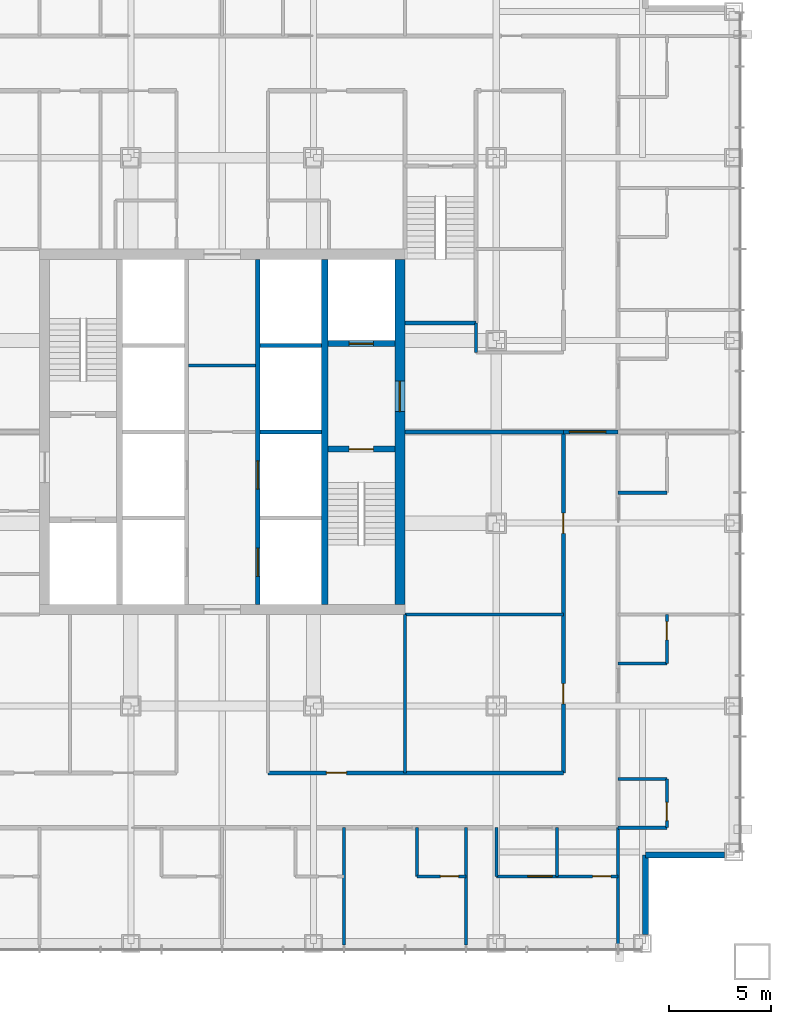
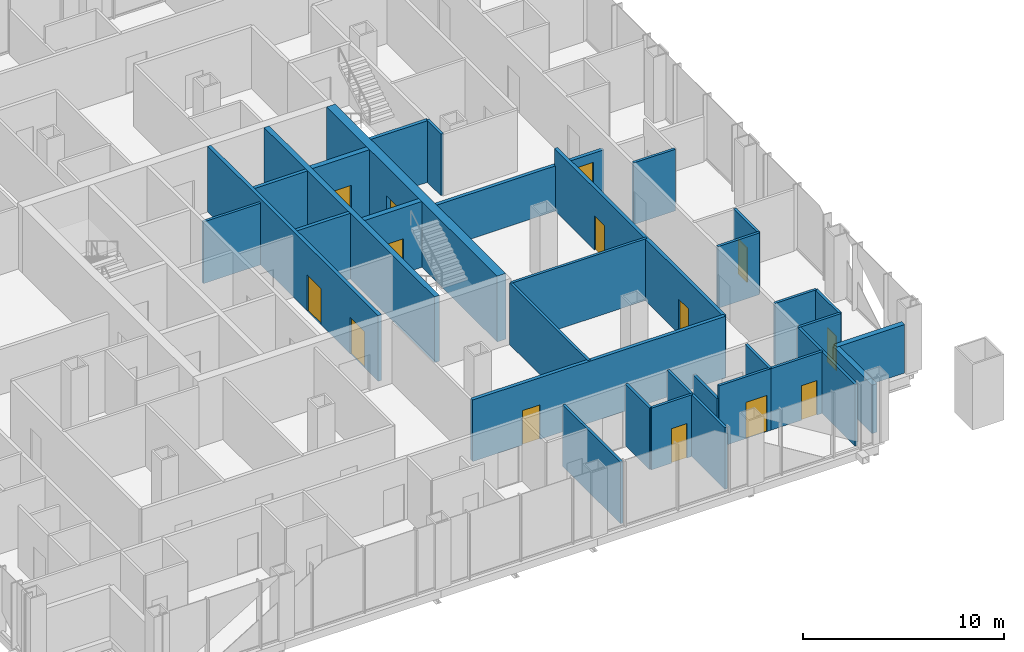
# One storey, part 9 of 13: 33 walls, 14 doors, 14 openings.
"""IFC4 building model written with IfcOpenShell, lengths in metres."""

from ifc_helpers import new_model, si_unit, direction, frame, frame_2d, origin, place, context, subcontext, project, spatial, rectangle, extrude, material, layer, layer_set, type_object, element, fill, save


model = new_model("IFC4")

# Units and contexts
model_context = context("Model", 3, precision=1e-05, world=origin(), true_north=direction((0.0, 1.0)))
body_context = subcontext(model_context, "Body", "Model", "MODEL_VIEW")
ifc_project = project(units=[si_unit("LENGTHUNIT", "METRE"), si_unit("AREAUNIT", "SQUARE_METRE"), si_unit("VOLUMEUNIT", "CUBIC_METRE"), si_unit("PLANEANGLEUNIT", "RADIAN"), si_unit("MASSUNIT", "GRAM", prefix="KILO")], contexts=[model_context])

# Site, building, storey
site_placement = place(None, origin())
site = spatial("IfcSite", under=ifc_project, at=site_placement, CompositionType="ELEMENT")
building_placement = place(site_placement, origin())
building = spatial("IfcBuilding", under=site, at=building_placement, Name="Malebo Sky Hospital", CompositionType="ELEMENT")
storey_placement = place(building_placement, frame((0.0, 0.0, 35.0)))
storey = spatial("IfcBuildingStorey", under=building, at=storey_placement, Name="L07", CompositionType="ELEMENT", Elevation=35.0)

# Wall, openings, doors
ifc_material_1 = material(Name="Concrete C80/95", Category="concrete")
ifc_layer_1 = layer(ifc_material_1, 0.199951171875)
ifc_layer_set_1 = layer_set([ifc_layer_1], Name="CORE INNER WALL 200")
wall_type_1 = type_object("IfcWallType", Name="CORE INNER WALL 200", PredefinedType="SHEAR", material=ifc_layer_set_1)
wall_1_placement = place(storey_placement, frame((61.75, 53.5, 0.0), z_axis=(0.0, 0.0, 1.0), x_axis=(0.0, 1.0, 0.0)))
wall_1 = element("IfcWall", 1, at=wall_1_placement, inside=storey, type_object=wall_type_1, Name="Core wall LE L07", PredefinedType="SHEAR", context=body_context, shape_type="SweptSolid", body=[
    extrude(rectangle(XDim=17.0, YDim=0.199951171875, at=frame_2d((8.5, 0.0))), origin(), (0.0, 0.0, 1.0), 4.0),
])
opening_1_placement = place(wall_1_placement, frame((1.375, 0.0, 0.0)))
opening_1 = element("IfcOpeningElement", 2, at=opening_1_placement, cuts=wall_1, Name="Opening LD1", PredefinedType="OPENING", context=body_context, shape_type="SweptSolid", body=[
    extrude(rectangle(XDim=1.39990234375, YDim=2.199951171875, at=frame_2d((0.699951171875, 1.10009765625))), frame((0.0, 0.10986328125, 0.0), z_axis=(0.0, -1.0, 0.0), x_axis=(1.0, 0.0, 0.0)), (0.0, 0.0, 1.0), 0.219970703125),
])
opening_2_placement = place(wall_1_placement, frame((5.675048828125, 0.0, 0.0)))
opening_2 = element("IfcOpeningElement", 3, at=opening_2_placement, cuts=wall_1, Name="Opening LD1", PredefinedType="OPENING", context=body_context, shape_type="SweptSolid", body=[
    extrude(rectangle(XDim=1.39990234375, YDim=2.199951171875, at=frame_2d((0.699951171875, 1.10009765625))), frame((0.0, 0.10986328125, 0.0), z_axis=(0.0, -1.0, 0.0), x_axis=(1.0, 0.0, 0.0)), (0.0, 0.0, 1.0), 0.219970703125),
])
ifc_material_2 = material(Name="Stainless steel sliding landing door", Category="steel")
door_type_1 = type_object("IfcDoorType", Name="LIFT LANDING DOOR 1400", OperationType="SLIDING_TO_LEFT", PredefinedType="DOOR", material=ifc_material_2)
door_1_placement = place(opening_1_placement, origin())
door_1 = element("IfcDoor", 4, at=door_1_placement, inside=storey, type_object=door_type_1, Name="Lift E1 landing door", OperationType="SLIDING_TO_LEFT", OverallHeight=2.199951171875, OverallWidth=1.39990234375, PredefinedType="DOOR", context=body_context, shape_type="SweptSolid", body=[
    extrude(rectangle(XDim=1.39990234375, YDim=2.199951171875, at=frame_2d((0.699951171875, 1.10009765625))), frame((0.0, 0.02490234375, 0.0), z_axis=(0.0, -1.0, 0.0), x_axis=(1.0, 0.0, 0.0)), (0.0, 0.0, 1.0), 0.050048828125),
])
fill(opening_1, door_1)
door_2_placement = place(opening_2_placement, origin())
door_2 = element("IfcDoor", 5, at=door_2_placement, inside=storey, type_object=door_type_1, Name="Lift E2 landing door", OperationType="SLIDING_TO_LEFT", OverallHeight=2.199951171875, OverallWidth=1.39990234375, PredefinedType="DOOR", context=body_context, shape_type="SweptSolid", body=[
    extrude(rectangle(XDim=1.39990234375, YDim=2.199951171875, at=frame_2d((0.699951171875, 1.10009765625))), frame((0.0, 0.02490234375, 0.0), z_axis=(0.0, -1.0, 0.0), x_axis=(1.0, 0.0, 0.0)), (0.0, 0.0, 1.0), 0.050048828125),
])
fill(opening_2, door_2)

# Walls
for number, where, z_axis, x_axis, name in (
    (6, (61.85009765625, 62.0, 0.0), (0.0, 0.0, 1.0), (1.0, 0.0, 0.0), "Core wall SE1 L07"),
    (7, (61.85009765625, 66.25, 0.0), (0.0, 0.0, 1.0), (1.0, 0.0, 0.0), "Core wall SE2 L07"),
):
    element("IfcWall", number, at=place(storey_placement, frame(where, z_axis=z_axis, x_axis=x_axis)), inside=storey, type_object=wall_type_1, Name=name, PredefinedType="SHEAR", context=body_context, shape_type="SweptSolid", body=[
        extrude(rectangle(XDim=3.0498046875, YDim=0.199951171875, at=frame_2d((1.52490234375, 0.0))), origin(), (0.0, 0.0, 1.0), 4.0),
    ])
ifc_layer_2 = layer(ifc_material_1, 0.300048828125)
ifc_layer_set_2 = layer_set([ifc_layer_2], Name="CORE INNER WALL 300")
wall_type_2 = type_object("IfcWallType", Name="CORE INNER WALL 300", PredefinedType="SHEAR", material=ifc_layer_set_2)
wall_2_placement = place(storey_placement, frame((65.050048828125, 53.5, 0.0), z_axis=(0.0, 0.0, 1.0), x_axis=(0.0, 1.0, 0.0)))
element("IfcWall", 8, at=wall_2_placement, inside=storey, type_object=wall_type_2, Name="Core wall XE L07", PredefinedType="SHEAR", context=body_context, shape_type="SweptSolid", body=[
    extrude(rectangle(XDim=17.0, YDim=0.300048828125, at=frame_2d((8.5, 0.0))), origin(), (0.0, 0.0, 1.0), 4.0),
])

# Wall, opening, door
wall_3_placement = place(storey_placement, frame((65.199951171875, 61.14990234375, 0.0), z_axis=(0.0, 0.0, 1.0), x_axis=(1.0, 0.0, 0.0)))
wall_3 = element("IfcWall", 9, at=wall_3_placement, inside=storey, type_object=wall_type_2, Name="Core wall E1 L07", PredefinedType="SHEAR", context=body_context, shape_type="SweptSolid", body=[
    extrude(rectangle(XDim=3.300048828125, YDim=0.300048828125, at=frame_2d((1.64990234375, 0.0))), origin(), (0.0, 0.0, 1.0), 4.0),
])
opening_3_placement = place(wall_3_placement, frame((1.050048828125, 0.0, 0.0)))
opening_3 = element("IfcOpeningElement", 10, at=opening_3_placement, cuts=wall_3, Name="Opening D08", PredefinedType="OPENING", context=body_context, shape_type="SweptSolid", body=[
    extrude(rectangle(XDim=1.199951171875, YDim=2.10009765625, at=frame_2d((0.60009765625, 1.050048828125))), frame((0.0, 0.159912109375, 0.0), z_axis=(0.0, -1.0, 0.0), x_axis=(1.0, 0.0, 0.0)), (0.0, 0.0, 1.0), 0.320068359375),
])
ifc_material_3 = material(Name="Hardwood-faced door leaf in steel frame", Category="steel")
door_type_2 = type_object("IfcDoorType", Name="STAIR DOOR 1200", OperationType="SINGLE_SWING_LEFT", PredefinedType="DOOR", material=ifc_material_3)
door_3_placement = place(opening_3_placement, origin())
door_3 = element("IfcDoor", 11, at=door_3_placement, inside=storey, type_object=door_type_2, Name="Stair S2 door", OperationType="SINGLE_SWING_LEFT", OverallHeight=2.10009765625, OverallWidth=1.199951171875, PredefinedType="DOOR", context=body_context, shape_type="SweptSolid", body=[
    extrude(rectangle(XDim=1.199951171875, YDim=2.10009765625, at=frame_2d((0.60009765625, 1.050048828125))), frame((0.0, 0.02490234375, 0.0), z_axis=(0.0, -1.0, 0.0), x_axis=(1.0, 0.0, 0.0)), (0.0, 0.0, 1.0), 0.050048828125),
])
fill(opening_3, door_3)

wall_4_placement = place(storey_placement, frame((65.199951171875, 66.35009765625, 0.0), z_axis=(0.0, 0.0, 1.0), x_axis=(1.0, 0.0, 0.0)))
wall_4 = element("IfcWall", 12, at=wall_4_placement, inside=storey, type_object=wall_type_2, Name="Core wall E2 L07", PredefinedType="SHEAR", context=body_context, shape_type="SweptSolid", body=[
    extrude(rectangle(XDim=3.300048828125, YDim=0.300048828125, at=frame_2d((1.64990234375, 0.0))), origin(), (0.0, 0.0, 1.0), 4.0),
])
opening_4_placement = place(wall_4_placement, frame((1.050048828125, 0.0, 0.0)))
opening_4 = element("IfcOpeningElement", 13, at=opening_4_placement, cuts=wall_4, Name="Opening LD2", PredefinedType="OPENING", context=body_context, shape_type="SweptSolid", body=[
    extrude(rectangle(XDim=1.199951171875, YDim=2.199951171875, at=frame_2d((0.60009765625, 1.10009765625))), frame((0.0, 0.159912109375, 0.0), z_axis=(0.0, -1.0, 0.0), x_axis=(1.0, 0.0, 0.0)), (0.0, 0.0, 1.0), 0.320068359375),
])
door_type_3 = type_object("IfcDoorType", Name="FIRE-FIGHTING LIFT LANDING DOOR 1200", OperationType="SLIDING_TO_LEFT", PredefinedType="DOOR", material=ifc_material_2)
door_4_placement = place(opening_4_placement, origin())
door_4 = element("IfcDoor", 14, at=door_4_placement, inside=storey, type_object=door_type_3, Name="Lift FL2 landing door", OperationType="SLIDING_TO_LEFT", OverallHeight=2.199951171875, OverallWidth=1.199951171875, PredefinedType="DOOR", context=body_context, shape_type="SweptSolid", body=[
    extrude(rectangle(XDim=1.199951171875, YDim=2.199951171875, at=frame_2d((0.60009765625, 1.10009765625))), frame((0.0, 0.02490234375, 0.0), z_axis=(0.0, -1.0, 0.0), x_axis=(1.0, 0.0, 0.0)), (0.0, 0.0, 1.0), 0.050048828125),
])
fill(opening_4, door_4)

ifc_layer_3 = layer(ifc_material_1, 0.5)
ifc_layer_set_3 = layer_set([ifc_layer_3], Name="CORE WALL 500")
wall_type_3 = type_object("IfcWallType", Name="CORE WALL 500", PredefinedType="SHEAR", material=ifc_layer_set_3)
wall_5_placement = place(storey_placement, frame((68.75, 53.5, 0.0), z_axis=(0.0, 0.0, 1.0), x_axis=(0.0, 1.0, 0.0)))
wall_5 = element("IfcWall", 15, at=wall_5_placement, inside=storey, type_object=wall_type_3, Name="Core wall E L07", PredefinedType="SHEAR", context=body_context, shape_type="SweptSolid", body=[
    extrude(rectangle(XDim=17.0, YDim=0.5, at=frame_2d((8.5, 0.0))), origin(), (0.0, 0.0, 1.0), 4.0),
])
opening_5_placement = place(wall_5_placement, frame((9.5, 0.0, 0.0)))
opening_5 = element("IfcOpeningElement", 16, at=opening_5_placement, cuts=wall_5, Name="Opening D07", PredefinedType="OPENING", context=body_context, shape_type="SweptSolid", body=[
    extrude(rectangle(XDim=1.5, YDim=2.199951171875, at=frame_2d((0.75, 1.10009765625))), frame((0.0, 0.260009765625, 0.0), z_axis=(0.0, -1.0, 0.0), x_axis=(1.0, 0.0, 0.0)), (0.0, 0.0, 1.0), 0.52001953125),
])
door_type_4 = type_object("IfcDoorType", Name="FIRE-FIGHTING LOBBY DOOR PAIR 1500", OperationType="DOUBLE_DOOR_SINGLE_SWING", PredefinedType="DOOR", material=ifc_material_3)
door_5_placement = place(opening_5_placement, origin())
door_5 = element("IfcDoor", 17, at=door_5_placement, inside=storey, type_object=door_type_4, Name="Fire-fighting lobby door east", OperationType="DOUBLE_DOOR_SINGLE_SWING", OverallHeight=2.199951171875, OverallWidth=1.5, PredefinedType="DOOR", context=body_context, shape_type="SweptSolid", body=[
    extrude(rectangle(XDim=1.5, YDim=2.199951171875, at=frame_2d((0.75, 1.10009765625))), frame((0.0, 0.02490234375, 0.0), z_axis=(0.0, -1.0, 0.0), x_axis=(1.0, 0.0, 0.0)), (0.0, 0.0, 1.0), 0.050048828125),
])
fill(opening_5, door_5)

ifc_material_4 = material(Name="Gypsum board on steel studs", Category="steel")
ifc_layer_4 = layer(ifc_material_4, 0.199951171875)
ifc_layer_set_4 = layer_set([ifc_layer_4], Name="CORRIDOR WALL 200")
wall_type_4 = type_object("IfcWallType", Name="CORRIDOR WALL 200", PredefinedType="PARTITIONING", material=ifc_layer_set_4)
wall_6_placement = place(storey_placement, frame((76.800048828125, 45.199951171875, 0.0), z_axis=(0.0, 0.0, 1.0), x_axis=(-1.0, 0.0, 0.0)))
wall_6 = element("IfcWall", 18, at=wall_6_placement, inside=storey, type_object=wall_type_4, Name="Corridor Wall 200 SCI1", PredefinedType="PARTITIONING", context=body_context, shape_type="SweptSolid", body=[
    extrude(rectangle(XDim=14.550048828125, YDim=0.199951171875, at=frame_2d((7.27490234375, 0.0))), origin(), (0.0, 0.0, 1.0), 3.75),
])
opening_6_placement = place(wall_6_placement, frame((10.675048828125, 0.0, 0.0)))
opening_6 = element("IfcOpeningElement", 19, at=opening_6_placement, cuts=wall_6, Name="Opening D03", PredefinedType="OPENING", context=body_context, shape_type="SweptSolid", body=[
    extrude(rectangle(XDim=1.0, YDim=2.10009765625, at=frame_2d((0.5, 1.050048828125))), frame((0.0, 0.10986328125, 0.0), z_axis=(0.0, -1.0, 0.0), x_axis=(1.0, 0.0, 0.0)), (0.0, 0.0, 1.0), 0.219970703125),
])
door_type_5 = type_object("IfcDoorType", Name="ROOM DOOR 1000", OperationType="SINGLE_SWING_LEFT", PredefinedType="DOOR", material=ifc_material_3)
door_6_placement = place(opening_6_placement, origin())
door_6 = element("IfcDoor", 20, at=door_6_placement, inside=storey, type_object=door_type_5, Name="Interview room door", OperationType="SINGLE_SWING_LEFT", OverallHeight=2.10009765625, OverallWidth=1.0, PredefinedType="DOOR", context=body_context, shape_type="SweptSolid", body=[
    extrude(rectangle(XDim=1.0, YDim=2.10009765625, at=frame_2d((0.5, 1.050048828125))), frame((0.0, 0.02490234375, 0.0), z_axis=(0.0, -1.0, 0.0), x_axis=(1.0, 0.0, 0.0)), (0.0, 0.0, 1.0), 0.050048828125),
])
fill(opening_6, door_6)

# Wall, openings, doors
wall_7_placement = place(storey_placement, frame((76.800048828125, 62.0, 0.0), z_axis=(0.0, 0.0, 1.0), x_axis=(0.0, -1.0, 0.0)))
wall_7 = element("IfcWall", 21, at=wall_7_placement, inside=storey, type_object=wall_type_4, Name="Corridor Wall 200 ECI2", PredefinedType="PARTITIONING", context=body_context, shape_type="SweptSolid", body=[
    extrude(rectangle(XDim=16.800048828125, YDim=0.199951171875, at=frame_2d((8.39990234375, 0.0))), origin(), (0.0, 0.0, 1.0), 3.75),
])
opening_7_placement = place(wall_7_placement, frame((4.0, 0.0, 0.0)))
opening_7 = element("IfcOpeningElement", 22, at=opening_7_placement, cuts=wall_7, Name="Opening D03", PredefinedType="OPENING", context=body_context, shape_type="SweptSolid", body=[
    extrude(rectangle(XDim=1.0, YDim=2.10009765625, at=frame_2d((0.5, 1.050048828125))), frame((0.0, 0.10986328125, 0.0), z_axis=(0.0, -1.0, 0.0), x_axis=(1.0, 0.0, 0.0)), (0.0, 0.0, 1.0), 0.219970703125),
])
opening_8_placement = place(wall_7_placement, frame((12.39990234375, 0.0, 0.0)))
opening_8 = element("IfcOpeningElement", 23, at=opening_8_placement, cuts=wall_7, Name="Opening D03", PredefinedType="OPENING", context=body_context, shape_type="SweptSolid", body=[
    extrude(rectangle(XDim=1.0, YDim=2.10009765625, at=frame_2d((0.5, 1.050048828125))), frame((0.0, 0.10986328125, 0.0), z_axis=(0.0, -1.0, 0.0), x_axis=(1.0, 0.0, 0.0)), (0.0, 0.0, 1.0), 0.219970703125),
])
door_7_placement = place(opening_7_placement, origin())
door_7 = element("IfcDoor", 24, at=door_7_placement, inside=storey, type_object=door_type_5, Name="Staff rest room door", OperationType="SINGLE_SWING_LEFT", OverallHeight=2.10009765625, OverallWidth=1.0, PredefinedType="DOOR", context=body_context, shape_type="SweptSolid", body=[
    extrude(rectangle(XDim=1.0, YDim=2.10009765625, at=frame_2d((0.5, 1.050048828125))), frame((0.0, 0.02490234375, 0.0), z_axis=(0.0, -1.0, 0.0), x_axis=(1.0, 0.0, 0.0)), (0.0, 0.0, 1.0), 0.050048828125),
])
fill(opening_7, door_7)
door_8_placement = place(opening_8_placement, origin())
door_8 = element("IfcDoor", 25, at=door_8_placement, inside=storey, type_object=door_type_5, Name="Staff base door", OperationType="SINGLE_SWING_RIGHT", OverallHeight=2.10009765625, OverallWidth=1.0, PredefinedType="DOOR", context=body_context, shape_type="SweptSolid", body=[
    extrude(rectangle(XDim=1.0, YDim=2.10009765625, at=frame_2d((0.5, 1.050048828125))), frame((0.0, 0.02490234375, 0.0), z_axis=(0.0, -1.0, 0.0), x_axis=(1.0, 0.0, 0.0)), (0.0, 0.0, 1.0), 0.050048828125),
])
fill(opening_8, door_8)

# Walls
ifc_material_5 = material(Name="Anodised aluminium rainscreen on steel framing", Category="steel")
ifc_layer_5 = layer(ifc_material_5, 0.300048828125)
ifc_layer_set_5 = layer_set([ifc_layer_5], Name="NOTCH RAINSCREEN WALL 300")
wall_type_5 = type_object("IfcWallType", Name="NOTCH RAINSCREEN WALL 300", PredefinedType="ELEMENTEDWALL", material=ifc_layer_set_5)
for number, where, z_axis, x_axis, name in (
    (26, (84.75, 41.14990234375, 0.0), (0.0, 0.0, 1.0), (-1.0, 0.0, 0.0), "Notch rainscreen wall E1 L07"),
    (27, (80.85009765625, 41.14990234375, 0.0), (0.0, 0.0, 1.0), (0.0, -1.0, 0.0), "Notch rainscreen wall E2 L07"),
):
    element("IfcWall", number, at=place(storey_placement, frame(where, z_axis=z_axis, x_axis=x_axis)), inside=storey, type_object=wall_type_5, Name=name, PredefinedType="ELEMENTEDWALL", context=body_context, shape_type="SweptSolid", body=[
        extrude(rectangle(XDim=3.89990234375, YDim=0.300048828125, at=frame_2d((1.949951171875, 0.0))), origin(), (0.0, 0.0, 1.0), 2.949951171875),
    ])
ifc_layer_6 = layer(ifc_material_4, 0.14990234375)
ifc_layer_set_6 = layer_set([ifc_layer_6], Name="PARTITION 150")
wall_type_6 = type_object("IfcWallType", Name="PARTITION 150", PredefinedType="PARTITIONING", material=ifc_layer_set_6)
for number, where, z_axis, x_axis, name in (
    (28, (72.0, 42.5, 0.0), (0.0, 0.0, 1.0), (0.0, -1.0, 0.0), "Partition 150 SP-12.0"),
    (29, (66.0, 42.5, 0.0), (0.0, 0.0, 1.0), (0.0, -1.0, 0.0), "Partition 150 SP-6.0"),
    (30, (79.5, 42.5, 0.0), (0.0, 0.0, 1.0), (0.0, -1.0, 0.0), "Partition 150 SP0"),
):
    element("IfcWall", number, at=place(storey_placement, frame(where, z_axis=z_axis, x_axis=x_axis)), inside=storey, type_object=wall_type_6, Name=name, PredefinedType="PARTITIONING", context=body_context, shape_type="SweptSolid", body=[
        extrude(rectangle(XDim=5.77490234375, YDim=0.14990234375, at=frame_2d((2.887451171875, 0.0))), origin(), (0.0, 0.0, 1.0), 3.75),
    ])

# Wall, opening, door
wall_8_placement = place(storey_placement, frame((79.5, 40.10009765625, 0.0), z_axis=(0.0, 0.0, 1.0), x_axis=(-1.0, 0.0, 0.0)))
wall_8 = element("IfcWall", 31, at=wall_8_placement, inside=storey, type_object=wall_type_6, Name="Partition 150 SE0F", PredefinedType="PARTITIONING", context=body_context, shape_type="SweptSolid", body=[
    extrude(rectangle(XDim=3.0, YDim=0.14990234375, at=frame_2d((1.5, 0.0))), origin(), (0.0, 0.0, 1.0), 3.75),
])
opening_9_placement = place(wall_8_placement, frame((0.35009765625, 0.0, 0.0)))
opening_9 = element("IfcOpeningElement", 32, at=opening_9_placement, cuts=wall_8, Name="Opening D02", PredefinedType="OPENING", context=body_context, shape_type="SweptSolid", body=[
    extrude(rectangle(XDim=0.89990234375, YDim=2.10009765625, at=frame_2d((0.449951171875, 1.050048828125))), frame((0.0, 0.0849609375, 0.0), z_axis=(0.0, -1.0, 0.0), x_axis=(1.0, 0.0, 0.0)), (0.0, 0.0, 1.0), 0.169921875),
])
door_type_6 = type_object("IfcDoorType", Name="EN-SUITE DOOR 900", OperationType="SINGLE_SWING_LEFT", PredefinedType="DOOR", material=ifc_material_3)
door_9_placement = place(opening_9_placement, origin())
door_9 = element("IfcDoor", 33, at=door_9_placement, inside=storey, type_object=door_type_6, Name="En-suite door", OperationType="SINGLE_SWING_LEFT", OverallHeight=2.10009765625, OverallWidth=0.89990234375, PredefinedType="DOOR", context=body_context, shape_type="SweptSolid", body=[
    extrude(rectangle(XDim=0.89990234375, YDim=2.10009765625, at=frame_2d((0.449951171875, 1.050048828125))), frame((0.0, 0.02490234375, 0.0), z_axis=(0.0, -1.0, 0.0), x_axis=(1.0, 0.0, 0.0)), (0.0, 0.0, 1.0), 0.050048828125),
])
fill(opening_9, door_9)

# Wall
wall_9_placement = place(storey_placement, frame((76.5, 42.5, 0.0), z_axis=(0.0, 0.0, 1.0), x_axis=(0.0, -1.0, 0.0)))
element("IfcWall", 34, at=wall_9_placement, inside=storey, type_object=wall_type_6, Name="Partition 150 SE0S", PredefinedType="PARTITIONING", context=body_context, shape_type="SweptSolid", body=[
    extrude(rectangle(XDim=2.39990234375, YDim=0.14990234375, at=frame_2d((1.199951171875, 0.0))), origin(), (0.0, 0.0, 1.0), 3.75),
])

# Wall, opening, door
wall_10_placement = place(storey_placement, frame((72.0, 40.10009765625, 0.0), z_axis=(0.0, 0.0, 1.0), x_axis=(-1.0, 0.0, 0.0)))
wall_10 = element("IfcWall", 35, at=wall_10_placement, inside=storey, type_object=wall_type_6, Name="Partition 150 SE1F", PredefinedType="PARTITIONING", context=body_context, shape_type="SweptSolid", body=[
    extrude(rectangle(XDim=2.39990234375, YDim=0.14990234375, at=frame_2d((1.199951171875, 0.0))), origin(), (0.0, 0.0, 1.0), 3.75),
])
opening_10_placement = place(wall_10_placement, frame((0.35009765625, 0.0, 0.0)))
opening_10 = element("IfcOpeningElement", 36, at=opening_10_placement, cuts=wall_10, Name="Opening D02", PredefinedType="OPENING", context=body_context, shape_type="SweptSolid", body=[
    extrude(rectangle(XDim=0.89990234375, YDim=2.10009765625, at=frame_2d((0.449951171875, 1.050048828125))), frame((0.0, 0.0849609375, 0.0), z_axis=(0.0, -1.0, 0.0), x_axis=(1.0, 0.0, 0.0)), (0.0, 0.0, 1.0), 0.169921875),
])
door_10_placement = place(opening_10_placement, origin())
door_10 = element("IfcDoor", 37, at=door_10_placement, inside=storey, type_object=door_type_6, Name="En-suite door", OperationType="SINGLE_SWING_LEFT", OverallHeight=2.10009765625, OverallWidth=0.89990234375, PredefinedType="DOOR", context=body_context, shape_type="SweptSolid", body=[
    extrude(rectangle(XDim=0.89990234375, YDim=2.10009765625, at=frame_2d((0.449951171875, 1.050048828125))), frame((0.0, 0.02490234375, 0.0), z_axis=(0.0, -1.0, 0.0), x_axis=(1.0, 0.0, 0.0)), (0.0, 0.0, 1.0), 0.050048828125),
])
fill(opening_10, door_10)

# Walls
wall_11_placement = place(storey_placement, frame((69.60009765625, 42.5, 0.0), z_axis=(0.0, 0.0, 1.0), x_axis=(0.0, -1.0, 0.0)))
element("IfcWall", 38, at=wall_11_placement, inside=storey, type_object=wall_type_6, Name="Partition 150 SE1S", PredefinedType="PARTITIONING", context=body_context, shape_type="SweptSolid", body=[
    extrude(rectangle(XDim=2.39990234375, YDim=0.14990234375, at=frame_2d((1.199951171875, 0.0))), origin(), (0.0, 0.0, 1.0), 3.75),
])
wall_12_placement = place(storey_placement, frame((69.0, 53.0, 0.0), z_axis=(0.0, 0.0, 1.0), x_axis=(0.0, -1.0, 0.0)))
element("IfcWall", 39, at=wall_12_placement, inside=storey, type_object=wall_type_6, Name="Partition 150 SSP0", PredefinedType="PARTITIONING", context=body_context, shape_type="SweptSolid", body=[
    extrude(rectangle(XDim=7.800048828125, YDim=0.14990234375, at=frame_2d((3.89990234375, 0.0))), origin(), (0.0, 0.0, 1.0), 3.75),
])
wall_13_placement = place(storey_placement, frame((79.5, 59.0, 0.0), z_axis=(0.0, 0.0, 1.0), x_axis=(1.0, 0.0, 0.0)))
element("IfcWall", 40, at=wall_13_placement, inside=storey, type_object=wall_type_6, Name="Partition 150 EE3S", PredefinedType="PARTITIONING", context=body_context, shape_type="SweptSolid", body=[
    extrude(rectangle(XDim=2.39990234375, YDim=0.14990234375, at=frame_2d((1.199951171875, 0.0))), origin(), (0.0, 0.0, 1.0), 3.75),
])

# Wall, opening, door
wall_14_placement = place(storey_placement, frame((81.89990234375, 53.0, 0.0), z_axis=(0.0, 0.0, 1.0), x_axis=(0.0, -1.0, 0.0)))
wall_14 = element("IfcWall", 41, at=wall_14_placement, inside=storey, type_object=wall_type_6, Name="Partition 150 EE4F", PredefinedType="PARTITIONING", context=body_context, shape_type="SweptSolid", body=[
    extrude(rectangle(XDim=2.39990234375, YDim=0.14990234375, at=frame_2d((1.199951171875, 0.0))), origin(), (0.0, 0.0, 1.0), 3.75),
])
opening_11_placement = place(wall_14_placement, frame((0.35009765625, 0.0, 0.0)))
opening_11 = element("IfcOpeningElement", 42, at=opening_11_placement, cuts=wall_14, Name="Opening D02", PredefinedType="OPENING", context=body_context, shape_type="SweptSolid", body=[
    extrude(rectangle(XDim=0.89990234375, YDim=2.10009765625, at=frame_2d((0.449951171875, 1.050048828125))), frame((0.0, 0.0849609375, 0.0), z_axis=(0.0, -1.0, 0.0), x_axis=(1.0, 0.0, 0.0)), (0.0, 0.0, 1.0), 0.169921875),
])
door_11_placement = place(opening_11_placement, origin())
door_11 = element("IfcDoor", 43, at=door_11_placement, inside=storey, type_object=door_type_6, Name="En-suite door", OperationType="SINGLE_SWING_LEFT", OverallHeight=2.10009765625, OverallWidth=0.89990234375, PredefinedType="DOOR", context=body_context, shape_type="SweptSolid", body=[
    extrude(rectangle(XDim=0.89990234375, YDim=2.10009765625, at=frame_2d((0.449951171875, 1.050048828125))), frame((0.0, 0.02490234375, 0.0), z_axis=(0.0, -1.0, 0.0), x_axis=(1.0, 0.0, 0.0)), (0.0, 0.0, 1.0), 0.050048828125),
])
fill(opening_11, door_11)

# Wall
wall_15_placement = place(storey_placement, frame((79.5, 50.60009765625, 0.0), z_axis=(0.0, 0.0, 1.0), x_axis=(1.0, 0.0, 0.0)))
element("IfcWall", 44, at=wall_15_placement, inside=storey, type_object=wall_type_6, Name="Partition 150 EE4S", PredefinedType="PARTITIONING", context=body_context, shape_type="SweptSolid", body=[
    extrude(rectangle(XDim=2.39990234375, YDim=0.14990234375, at=frame_2d((1.199951171875, 0.0))), origin(), (0.0, 0.0, 1.0), 3.75),
])

# Wall, opening, door
wall_16_placement = place(storey_placement, frame((81.89990234375, 44.89990234375, 0.0), z_axis=(0.0, 0.0, 1.0), x_axis=(0.0, -1.0, 0.0)))
wall_16 = element("IfcWall", 45, at=wall_16_placement, inside=storey, type_object=wall_type_6, Name="Partition 150 EG4F", PredefinedType="PARTITIONING", context=body_context, shape_type="SweptSolid", body=[
    extrude(rectangle(XDim=2.39990234375, YDim=0.14990234375, at=frame_2d((1.199951171875, 0.0))), origin(), (0.0, 0.0, 1.0), 3.75),
])
opening_12_placement = place(wall_16_placement, frame((1.14990234375, 0.0, 0.0)))
opening_12 = element("IfcOpeningElement", 46, at=opening_12_placement, cuts=wall_16, Name="Opening D02", PredefinedType="OPENING", context=body_context, shape_type="SweptSolid", body=[
    extrude(rectangle(XDim=0.89990234375, YDim=2.10009765625, at=frame_2d((0.449951171875, 1.050048828125))), frame((0.0, 0.0849609375, 0.0), z_axis=(0.0, -1.0, 0.0), x_axis=(1.0, 0.0, 0.0)), (0.0, 0.0, 1.0), 0.169921875),
])
door_12_placement = place(opening_12_placement, origin())
door_12 = element("IfcDoor", 47, at=door_12_placement, inside=storey, type_object=door_type_6, Name="En-suite door", OperationType="SINGLE_SWING_RIGHT", OverallHeight=2.10009765625, OverallWidth=0.89990234375, PredefinedType="DOOR", context=body_context, shape_type="SweptSolid", body=[
    extrude(rectangle(XDim=0.89990234375, YDim=2.10009765625, at=frame_2d((0.449951171875, 1.050048828125))), frame((0.0, 0.02490234375, 0.0), z_axis=(0.0, -1.0, 0.0), x_axis=(1.0, 0.0, 0.0)), (0.0, 0.0, 1.0), 0.050048828125),
])
fill(opening_12, door_12)

# Walls
for number, where, z_axis, x_axis, name in (
    (48, (79.5, 44.89990234375, 0.0), (0.0, 0.0, 1.0), (1.0, 0.0, 0.0), "Partition 150 EG4S"),
    (49, (79.5, 42.5, 0.0), (0.0, 0.0, 1.0), (1.0, 0.0, 0.0), "Partition 150 EEZ"),
):
    element("IfcWall", number, at=place(storey_placement, frame(where, z_axis=z_axis, x_axis=x_axis)), inside=storey, type_object=wall_type_6, Name=name, PredefinedType="PARTITIONING", context=body_context, shape_type="SweptSolid", body=[
        extrude(rectangle(XDim=2.39990234375, YDim=0.14990234375, at=frame_2d((1.199951171875, 0.0))), origin(), (0.0, 0.0, 1.0), 3.75),
    ])
wall_17_placement = place(storey_placement, frame((69.0, 53.0, 0.0), z_axis=(0.0, 0.0, 1.0), x_axis=(1.0, 0.0, 0.0)))
element("IfcWall", 50, at=wall_17_placement, inside=storey, type_object=wall_type_6, Name="Partition 150 ESP+9.0", PredefinedType="PARTITIONING", context=body_context, shape_type="SweptSolid", body=[
    extrude(rectangle(XDim=7.800048828125, YDim=0.14990234375, at=frame_2d((3.89990234375, 0.0))), origin(), (0.0, 0.0, 1.0), 3.75),
])
wall_18_placement = place(storey_placement, frame((58.35009765625, 65.276611328125, 0.0), z_axis=(0.0, 0.0, 1.0), x_axis=(1.0, 0.0, 0.0)))
element("IfcWall", 51, at=wall_18_placement, inside=storey, type_object=wall_type_6, Name="Partition 150 LBN1", PredefinedType="PARTITIONING", context=body_context, shape_type="SweptSolid", body=[
    extrude(rectangle(XDim=3.2998046875, YDim=0.14990234375, at=frame_2d((1.64990234375, 0.0))), origin(), (0.0, 0.0, 1.0), 3.75),
])
wall_19_placement = place(storey_placement, frame((72.5, 65.89990234375, 0.0), z_axis=(0.0, 0.0, 1.0), x_axis=(0.0, 1.0, 0.0)))
element("IfcWall", 52, at=wall_19_placement, inside=storey, type_object=wall_type_6, Name="Partition 150 ST3C", PredefinedType="PARTITIONING", context=body_context, shape_type="SweptSolid", body=[
    extrude(rectangle(XDim=1.4501953125, YDim=0.14990234375, at=frame_2d((0.72509765625, 0.0))), origin(), (0.0, 0.0, 1.0), 3.75),
])

# Wall, opening, door
ifc_material_6 = material(Name="Sealed gypsum board on steel studs, taped to the slab", Category="steel")
ifc_layer_7 = layer(ifc_material_6, 0.14990234375)
ifc_layer_set_7 = layer_set([ifc_layer_7], Name="SEALED ISOLATION PARTITION 150")
wall_type_7 = type_object("IfcWallType", Name="SEALED ISOLATION PARTITION 150", PredefinedType="PARTITIONING", material=ifc_layer_set_7)
wall_20_placement = place(storey_placement, frame((76.5, 40.10009765625, 0.0), z_axis=(0.0, 0.0, 1.0), x_axis=(-1.0, 0.0, 0.0)))
wall_20 = element("IfcWall", 53, at=wall_20_placement, inside=storey, type_object=wall_type_7, Name="Sealed Isolation Partition 150 SA0F", PredefinedType="PARTITIONING", context=body_context, shape_type="SweptSolid", body=[
    extrude(rectangle(XDim=3.0, YDim=0.14990234375, at=frame_2d((1.5, 0.0))), origin(), (0.0, 0.0, 1.0), 3.75),
])
opening_13_placement = place(wall_20_placement, frame((0.25, 0.0, 0.0)))
opening_13 = element("IfcOpeningElement", 54, at=opening_13_placement, cuts=wall_20, Name="Opening D19", PredefinedType="OPENING", context=body_context, shape_type="SweptSolid", body=[
    extrude(rectangle(XDim=1.199951171875, YDim=2.199951171875, at=frame_2d((0.60009765625, 1.10009765625))), frame((0.0, 0.0849609375, 0.0), z_axis=(0.0, -1.0, 0.0), x_axis=(1.0, 0.0, 0.0)), (0.0, 0.0, 1.0), 0.169921875),
])
ifc_material_7 = material(Name="Hardwood-faced door leaf with perimeter seals in steel frame", Category="steel")
door_type_7 = type_object("IfcDoorType", Name="SEALED ISOLATION ROOM DOOR 1200", OperationType="SINGLE_SWING_LEFT", PredefinedType="DOOR", material=ifc_material_7)
door_13_placement = place(opening_13_placement, origin())
door_13 = element("IfcDoor", 55, at=door_13_placement, inside=storey, type_object=door_type_7, Name="Isolation room door", OperationType="SINGLE_SWING_LEFT", OverallHeight=2.199951171875, OverallWidth=1.199951171875, PredefinedType="DOOR", context=body_context, shape_type="SweptSolid", body=[
    extrude(rectangle(XDim=1.199951171875, YDim=2.199951171875, at=frame_2d((0.60009765625, 1.10009765625))), frame((0.0, 0.02490234375, 0.0), z_axis=(0.0, -1.0, 0.0), x_axis=(1.0, 0.0, 0.0)), (0.0, 0.0, 1.0), 0.050048828125),
])
fill(opening_13, door_13)

# Walls
wall_21_placement = place(storey_placement, frame((73.5, 42.5, 0.0), z_axis=(0.0, 0.0, 1.0), x_axis=(0.0, -1.0, 0.0)))
element("IfcWall", 56, at=wall_21_placement, inside=storey, type_object=wall_type_7, Name="Sealed Isolation Partition 150 SA0S", PredefinedType="PARTITIONING", context=body_context, shape_type="SweptSolid", body=[
    extrude(rectangle(XDim=2.39990234375, YDim=0.14990234375, at=frame_2d((1.199951171875, 0.0))), origin(), (0.0, 0.0, 1.0), 2.949951171875),
])
ifc_material_8 = material(Name="Concrete blockwork", Category="masonry")
ifc_layer_8 = layer(ifc_material_8, 0.199951171875)
ifc_layer_set_8 = layer_set([ifc_layer_8], Name="SMOKE BARRIER WALL 200")
wall_type_8 = type_object("IfcWallType", Name="SMOKE BARRIER WALL 200", PredefinedType="SOLIDWALL", material=ifc_layer_set_8)
wall_22_placement = place(storey_placement, frame((69.0, 62.0, 0.0), z_axis=(0.0, 0.0, 1.0), x_axis=(1.0, 0.0, 0.0)))
element("IfcWall", 57, at=wall_22_placement, inside=storey, type_object=wall_type_8, Name="Smoke Barrier Wall 200 ESPB", PredefinedType="SOLIDWALL", context=body_context, shape_type="SweptSolid", body=[
    extrude(rectangle(XDim=7.800048828125, YDim=0.199951171875, at=frame_2d((3.89990234375, 0.0))), origin(), (0.0, 0.0, 1.0), 2.75),
])

# Wall, opening, door
wall_23_placement = place(storey_placement, frame((76.800048828125, 62.0, 0.0), z_axis=(0.0, 0.0, 1.0), x_axis=(1.0, 0.0, 0.0)))
wall_23 = element("IfcWall", 58, at=wall_23_placement, inside=storey, type_object=wall_type_8, Name="Smoke Barrier Wall 200 ESB", PredefinedType="SOLIDWALL", context=body_context, shape_type="SweptSolid", body=[
    extrude(rectangle(XDim=2.699951171875, YDim=0.199951171875, at=frame_2d((1.35009765625, 0.0))), origin(), (0.0, 0.0, 1.0), 2.75),
])
opening_14_placement = place(wall_23_placement, frame((0.300048828125, 0.0, 0.0)))
opening_14 = element("IfcOpeningElement", 59, at=opening_14_placement, cuts=wall_23, Name="Opening D05", PredefinedType="OPENING", context=body_context, shape_type="SweptSolid", body=[
    extrude(rectangle(XDim=1.800048828125, YDim=2.199951171875, at=frame_2d((0.89990234375, 1.10009765625))), frame((0.0, 0.10986328125, 0.0), z_axis=(0.0, -1.0, 0.0), x_axis=(1.0, 0.0, 0.0)), (0.0, 0.0, 1.0), 0.219970703125),
])
door_type_8 = type_object("IfcDoorType", Name="SMOKE DOOR PAIR 1800", OperationType="DOUBLE_DOOR_DOUBLE_SWING", PredefinedType="DOOR", material=ifc_material_3)
door_14_placement = place(opening_14_placement, origin())
door_14 = element("IfcDoor", 60, at=door_14_placement, inside=storey, type_object=door_type_8, Name="Smoke compartment door pair", OperationType="DOUBLE_DOOR_DOUBLE_SWING", OverallHeight=2.199951171875, OverallWidth=1.800048828125, PredefinedType="DOOR", context=body_context, shape_type="SweptSolid", body=[
    extrude(rectangle(XDim=1.800048828125, YDim=2.199951171875, at=frame_2d((0.89990234375, 1.10009765625))), frame((0.0, 0.02490234375, 0.0), z_axis=(0.0, -1.0, 0.0), x_axis=(1.0, 0.0, 0.0)), (0.0, 0.0, 1.0), 0.050048828125),
])
fill(opening_14, door_14)

# Wall
ifc_material_9 = material(Name="Concrete C40/50", Category="concrete")
ifc_layer_9 = layer(ifc_material_9, 0.199951171875)
ifc_layer_set_9 = layer_set([ifc_layer_9], Name="STAIR ENCLOSURE WALL 200")
wall_type_9 = type_object("IfcWallType", Name="STAIR ENCLOSURE WALL 200", PredefinedType="SOLIDWALL", material=ifc_layer_set_9)
wall_24_placement = place(storey_placement, frame((69.0, 67.35009765625, 0.0), z_axis=(0.0, 0.0, 1.0), x_axis=(1.0, 0.0, 0.0)))
element("IfcWall", 61, at=wall_24_placement, inside=storey, type_object=wall_type_9, Name="Stair Enclosure Wall 200 ST3S", PredefinedType="SOLIDWALL", context=body_context, shape_type="SweptSolid", body=[
    extrude(rectangle(XDim=3.5, YDim=0.199951171875, at=frame_2d((1.75, 0.0))), origin(), (0.0, 0.0, 1.0), 3.75),
])

save(model, "model.ifc")
